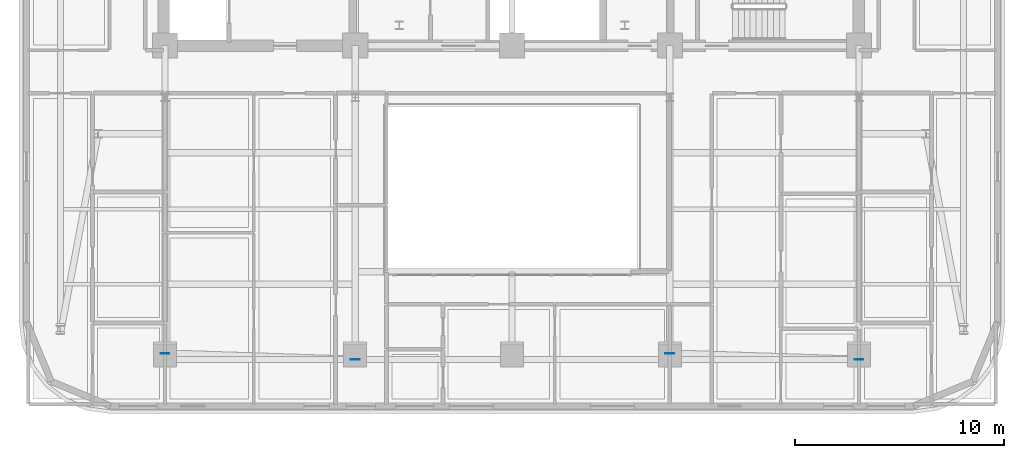
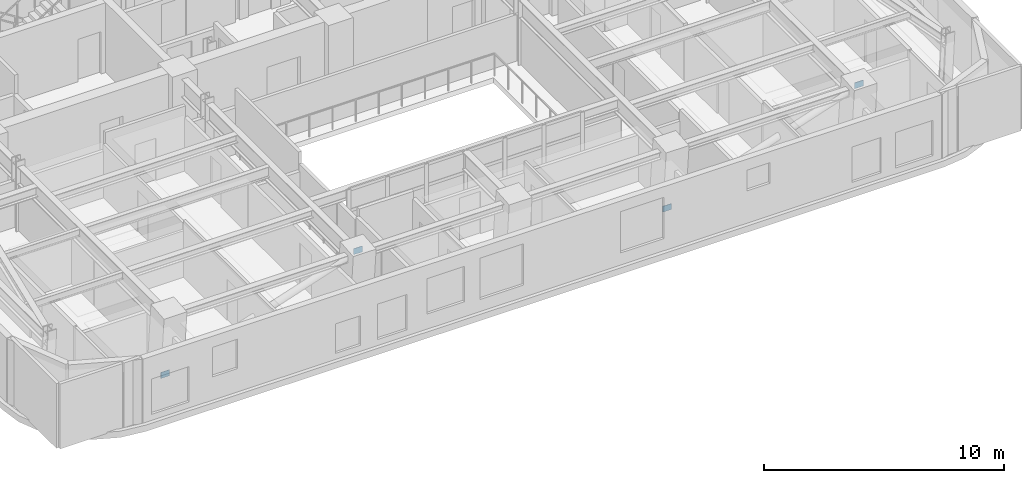
# One storey, part 4 of 12: 4 plates.
"""IFC4 building model written with IfcOpenShell, lengths in metres."""

from ifc_helpers import new_model, si_unit, direction, frame, origin, origin_2d, place, context, subcontext, project, spatial, rectangle, extrude, material, layer, layer_set, type_object, element, save


model = new_model("IFC4")

# Units and contexts
model_context = context("Model", 3, precision=1e-05, world=origin(), true_north=direction((0.0, 1.0)))
body_context = subcontext(model_context, "Body", "Model", "MODEL_VIEW")
ifc_project = project(units=[si_unit("LENGTHUNIT", "METRE"), si_unit("AREAUNIT", "SQUARE_METRE"), si_unit("VOLUMEUNIT", "CUBIC_METRE"), si_unit("PLANEANGLEUNIT", "RADIAN"), si_unit("MASSUNIT", "GRAM", prefix="KILO")], contexts=[model_context])

# Site, building, storey
site_placement = place(None, origin())
site = spatial("IfcSite", under=ifc_project, at=site_placement, CompositionType="ELEMENT")
building_placement = place(site_placement, origin())
building = spatial("IfcBuilding", under=site, at=building_placement, Name="Zarnavel Station Tower", CompositionType="ELEMENT")
storey_placement = place(building_placement, frame((0.0, 0.0, 144.800048828125)))
storey = spatial("IfcBuildingStorey", under=building, at=storey_placement, Name="L39", CompositionType="ELEMENT", Elevation=144.800048828125)

# Plates
ifc_material = material(Name="Steel S460M", Category="steel")
ifc_layer = layer(ifc_material, 0.02490234375)
ifc_layer_set = layer_set([ifc_layer], Name="GP_GUSSET_25")
plate_type = type_object("IfcPlateType", Name="GP_GUSSET_25", PredefinedType="USERDEFINED", material=ifc_layer_set)
for number, where, z_axis, x_axis, name in (
    (1, (12.199951171875, 13.106201171875, -0.14990234375), (0.0, 0.0, 1.0), (1.0, 0.0, 0.0), "L39 Exterior Diagonal Brace End Gusset 1-1"),
    (2, (21.300048828125, 12.80810546875, 3.14013671875), (0.0, 0.0, 1.0), (1.0, 0.0, 0.0), "L39 Exterior Diagonal Brace End Gusset 1-2"),
    (3, (36.35009765625, 13.106201171875, -0.14990234375), (0.0, 0.0, 1.0), (1.0, 0.0, 0.0), "L39 Exterior Diagonal Brace End Gusset 2-1"),
    (4, (45.39990234375, 12.80810546875, 3.14013671875), (0.0, 0.0, 1.0), (1.0, 0.0, 0.0), "L39 Exterior Diagonal Brace End Gusset 2-2"),
):
    element("IfcPlate", number, at=place(storey_placement, frame(where, z_axis=z_axis, x_axis=x_axis)), inside=storey, type_object=plate_type, Name=name, ObjectType="GUSSET_PLATE", PredefinedType="USERDEFINED", context=body_context, shape_type="SweptSolid", body=[
        extrude(rectangle(XDim=0.419921875, YDim=0.02490234375, at=origin_2d()), origin(), (0.0, 0.0, 1.0), 0.300048828125),
    ])

save(model, "model.ifc")
